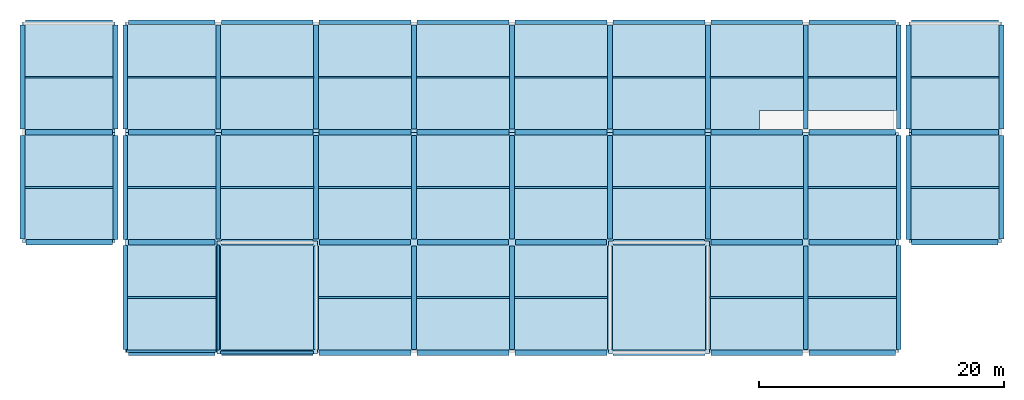
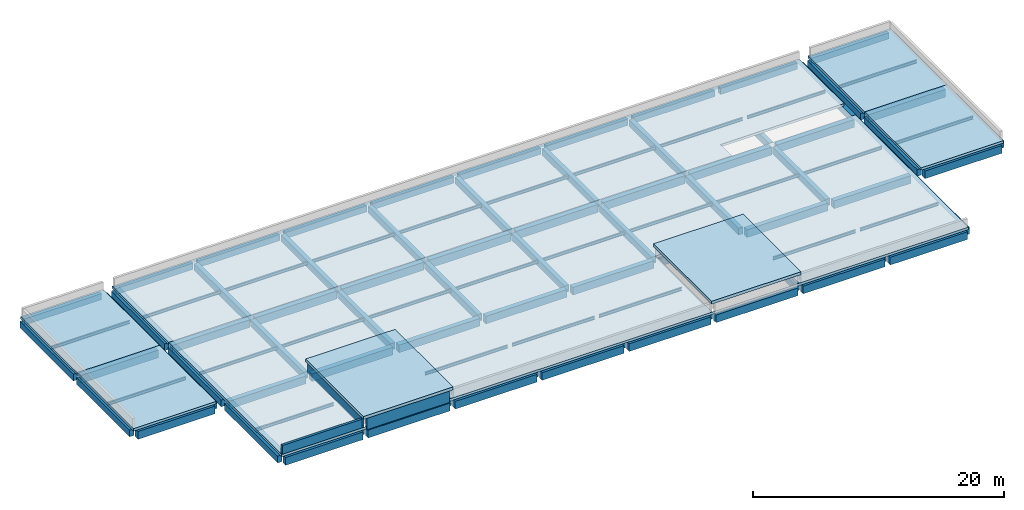
# One storey, part 1 of 3: 99 beams, 8 slabs, 3 walls.
"""IFC4 building model written with IfcOpenShell, lengths in metres."""

from ifc_helpers import new_model, si_unit, direction, frame, frame_2d, origin, origin_2d, place, context, subcontext, project, spatial, polyline, rectangle, i_section, outline, extrude, material, layer, layer_set, material_profile, profile_set, type_object, element, save


model = new_model("IFC4")

# Units and contexts
model_context = context("Model", 3, precision=1e-05, world=origin(), true_north=direction((0.0, 1.0)))
body_context = subcontext(model_context, "Body", "Model", "MODEL_VIEW")
ifc_project = project(units=[si_unit("LENGTHUNIT", "METRE"), si_unit("AREAUNIT", "SQUARE_METRE"), si_unit("VOLUMEUNIT", "CUBIC_METRE"), si_unit("PLANEANGLEUNIT", "RADIAN"), si_unit("MASSUNIT", "GRAM", prefix="KILO"), si_unit("THERMODYNAMICTEMPERATUREUNIT", "KELVIN"), si_unit("POWERUNIT", "WATT")], contexts=[model_context])

# Site, building, storey
site_placement = place(None, origin())
site = spatial("IfcSite", under=ifc_project, at=site_placement, CompositionType="ELEMENT")
building_placement = place(site_placement, origin())
building = spatial("IfcBuilding", under=site, at=building_placement, Name="Kronsvod Quay Wholesale Market", CompositionType="ELEMENT")
storey_placement = place(building_placement, frame((0.0, 0.0, 17.10009765625)))
storey = spatial("IfcBuildingStorey", under=building, at=storey_placement, Name="Roof", CompositionType="ELEMENT", Elevation=17.10009765625)

# Beams
ifc_material_1 = material(Name="Precast concrete C40/50", Category="concrete")
ifc_material_profile_1 = material_profile(ifc_material_1, rectangle(XDim=0.39990234375, YDim=0.64990234375, at=origin_2d()), Name="PCB400x650")
ifc_profile_set_1 = profile_set([ifc_material_profile_1], Name="Precast concrete C40/50")
beam_type_1 = type_object("IfcBeamType", Name="Beam_PCB400x650", PredefinedType="BEAM", material=ifc_profile_set_1)
beam_1_placement = place(storey_placement, frame((56.0, 108.27490234375, -0.565185546875), z_axis=(0.0, 1.0, 0.0), x_axis=(-1.0, 0.0, 0.0)))
element("IfcBeam", 1, at=beam_1_placement, inside=storey, type_object=beam_type_1, Name="BMY-Roof-560-1080", PredefinedType="BEAM", context=body_context, shape_type="SweptSolid", body=[
    extrude(rectangle(XDim=0.39990234375, YDim=0.64990234375, at=origin_2d()), origin(), (0.0, 0.0, 1.0), 8.47509765625),
])
for number, where, z_axis, x_axis, name in (
    (2, (56.0, 117.25, -0.565185546875), (0.0, 1.0, 0.0), (-1.0, 0.0, 0.0), "BMY-Roof-560-1170"),
    (3, (63.60009765625, 108.25, -0.565185546875), (0.0, 1.0, 0.0), (-1.0, 0.0, 0.0), "BMY-Roof-636-1080"),
    (4, (63.60009765625, 117.25, -0.565185546875), (0.0, 1.0, 0.0), (-1.0, 0.0, 0.0), "BMY-Roof-636-1170"),
    (5, (64.39990234375, 99.25, -0.565185546875), (0.0, 1.0, 0.0), (-1.0, 0.0, 0.0), "BMY-Roof-644-990"),
    (6, (64.39990234375, 108.25, -0.565185546875), (0.0, 1.0, 0.0), (-1.0, 0.0, 0.0), "BMY-Roof-644-1080"),
    (7, (64.39990234375, 117.25, -0.565185546875), (0.0, 1.0, 0.0), (-1.0, 0.0, 0.0), "BMY-Roof-644-1170"),
):
    element("IfcBeam", number, at=place(storey_placement, frame(where, z_axis=z_axis, x_axis=x_axis)), inside=storey, type_object=beam_type_1, Name=name, PredefinedType="BEAM", context=body_context, shape_type="SweptSolid", body=[
        extrude(rectangle(XDim=0.39990234375, YDim=0.64990234375, at=origin_2d()), origin(), (0.0, 0.0, 1.0), 8.5),
    ])
for number, where, z_axis, x_axis, name in (
    (8, (72.0, 99.25, -0.565185546875), (0.0, 1.0, 0.0), (-1.0, 0.0, 0.0), "BMY-Roof-720-990"),
    (9, (72.0, 108.27490234375, -0.565185546875), (0.0, 1.0, 0.0), (-1.0, 0.0, 0.0), "BMY-Roof-720-1080"),
):
    element("IfcBeam", number, at=place(storey_placement, frame(where, z_axis=z_axis, x_axis=x_axis)), inside=storey, type_object=beam_type_1, Name=name, PredefinedType="BEAM", context=body_context, shape_type="SweptSolid", body=[
        extrude(rectangle(XDim=0.39990234375, YDim=0.64990234375, at=origin_2d()), origin(), (0.0, 0.0, 1.0), 8.47509765625),
    ])
beam_2_placement = place(storey_placement, frame((72.0, 117.25, -0.565185546875), z_axis=(0.0, 1.0, 0.0), x_axis=(-1.0, 0.0, 0.0)))
element("IfcBeam", 10, at=beam_2_placement, inside=storey, type_object=beam_type_1, Name="BMY-Roof-720-1170", PredefinedType="BEAM", context=body_context, shape_type="SweptSolid", body=[
    extrude(rectangle(XDim=0.39990234375, YDim=0.64990234375, at=origin_2d()), origin(), (0.0, 0.0, 1.0), 8.5),
])
for number, where, z_axis, x_axis, name in (
    (11, (80.0, 99.25, -0.565185546875), (0.0, 1.0, 0.0), (-1.0, 0.0, 0.0), "BMY-Roof-800-990"),
    (12, (80.0, 108.27490234375, -0.565185546875), (0.0, 1.0, 0.0), (-1.0, 0.0, 0.0), "BMY-Roof-800-1080"),
):
    element("IfcBeam", number, at=place(storey_placement, frame(where, z_axis=z_axis, x_axis=x_axis)), inside=storey, type_object=beam_type_1, Name=name, PredefinedType="BEAM", context=body_context, shape_type="SweptSolid", body=[
        extrude(rectangle(XDim=0.39990234375, YDim=0.64990234375, at=origin_2d()), origin(), (0.0, 0.0, 1.0), 8.47509765625),
    ])
beam_3_placement = place(storey_placement, frame((80.0, 117.25, -0.565185546875), z_axis=(0.0, 1.0, 0.0), x_axis=(-1.0, 0.0, 0.0)))
element("IfcBeam", 13, at=beam_3_placement, inside=storey, type_object=beam_type_1, Name="BMY-Roof-800-1170", PredefinedType="BEAM", context=body_context, shape_type="SweptSolid", body=[
    extrude(rectangle(XDim=0.39990234375, YDim=0.64990234375, at=origin_2d()), origin(), (0.0, 0.0, 1.0), 8.5),
])
for number, where, z_axis, x_axis, name in (
    (14, (88.0, 99.25, -0.565185546875), (0.0, 1.0, 0.0), (-1.0, 0.0, 0.0), "BMY-Roof-880-990"),
    (15, (88.0, 108.27490234375, -0.565185546875), (0.0, 1.0, 0.0), (-1.0, 0.0, 0.0), "BMY-Roof-880-1080"),
):
    element("IfcBeam", number, at=place(storey_placement, frame(where, z_axis=z_axis, x_axis=x_axis)), inside=storey, type_object=beam_type_1, Name=name, PredefinedType="BEAM", context=body_context, shape_type="SweptSolid", body=[
        extrude(rectangle(XDim=0.39990234375, YDim=0.64990234375, at=origin_2d()), origin(), (0.0, 0.0, 1.0), 8.47509765625),
    ])
beam_4_placement = place(storey_placement, frame((88.0, 117.25, -0.565185546875), z_axis=(0.0, 1.0, 0.0), x_axis=(-1.0, 0.0, 0.0)))
element("IfcBeam", 16, at=beam_4_placement, inside=storey, type_object=beam_type_1, Name="BMY-Roof-880-1170", PredefinedType="BEAM", context=body_context, shape_type="SweptSolid", body=[
    extrude(rectangle(XDim=0.39990234375, YDim=0.64990234375, at=origin_2d()), origin(), (0.0, 0.0, 1.0), 8.5),
])
for number, where, z_axis, x_axis, name in (
    (17, (96.0, 99.25, -0.565185546875), (0.0, 1.0, 0.0), (-1.0, 0.0, 0.0), "BMY-Roof-960-990"),
    (18, (96.0, 108.27490234375, -0.565185546875), (0.0, 1.0, 0.0), (-1.0, 0.0, 0.0), "BMY-Roof-960-1080"),
):
    element("IfcBeam", number, at=place(storey_placement, frame(where, z_axis=z_axis, x_axis=x_axis)), inside=storey, type_object=beam_type_1, Name=name, PredefinedType="BEAM", context=body_context, shape_type="SweptSolid", body=[
        extrude(rectangle(XDim=0.39990234375, YDim=0.64990234375, at=origin_2d()), origin(), (0.0, 0.0, 1.0), 8.47509765625),
    ])
beam_5_placement = place(storey_placement, frame((96.0, 117.25, -0.565185546875), z_axis=(0.0, 1.0, 0.0), x_axis=(-1.0, 0.0, 0.0)))
element("IfcBeam", 19, at=beam_5_placement, inside=storey, type_object=beam_type_1, Name="BMY-Roof-960-1170", PredefinedType="BEAM", context=body_context, shape_type="SweptSolid", body=[
    extrude(rectangle(XDim=0.39990234375, YDim=0.64990234375, at=origin_2d()), origin(), (0.0, 0.0, 1.0), 8.5),
])
for number, where, z_axis, x_axis, name in (
    (20, (104.0, 99.25, -0.565185546875), (0.0, 1.0, 0.0), (-1.0, 0.0, 0.0), "BMY-Roof-1040-990"),
    (21, (104.0, 108.27490234375, -0.565185546875), (0.0, 1.0, 0.0), (-1.0, 0.0, 0.0), "BMY-Roof-1040-1080"),
):
    element("IfcBeam", number, at=place(storey_placement, frame(where, z_axis=z_axis, x_axis=x_axis)), inside=storey, type_object=beam_type_1, Name=name, PredefinedType="BEAM", context=body_context, shape_type="SweptSolid", body=[
        extrude(rectangle(XDim=0.39990234375, YDim=0.64990234375, at=origin_2d()), origin(), (0.0, 0.0, 1.0), 8.47509765625),
    ])
beam_6_placement = place(storey_placement, frame((104.0, 117.25, -0.565185546875), z_axis=(0.0, 1.0, 0.0), x_axis=(-1.0, 0.0, 0.0)))
element("IfcBeam", 22, at=beam_6_placement, inside=storey, type_object=beam_type_1, Name="BMY-Roof-1040-1170", PredefinedType="BEAM", context=body_context, shape_type="SweptSolid", body=[
    extrude(rectangle(XDim=0.39990234375, YDim=0.64990234375, at=origin_2d()), origin(), (0.0, 0.0, 1.0), 8.5),
])
for number, where, z_axis, x_axis, name in (
    (23, (112.0, 99.25, -0.565185546875), (0.0, 1.0, 0.0), (-1.0, 0.0, 0.0), "BMY-Roof-1120-990"),
    (24, (112.0, 108.27490234375, -0.565185546875), (0.0, 1.0, 0.0), (-1.0, 0.0, 0.0), "BMY-Roof-1120-1080"),
):
    element("IfcBeam", number, at=place(storey_placement, frame(where, z_axis=z_axis, x_axis=x_axis)), inside=storey, type_object=beam_type_1, Name=name, PredefinedType="BEAM", context=body_context, shape_type="SweptSolid", body=[
        extrude(rectangle(XDim=0.39990234375, YDim=0.64990234375, at=origin_2d()), origin(), (0.0, 0.0, 1.0), 8.47509765625),
    ])
beam_7_placement = place(storey_placement, frame((112.0, 117.25, -0.565185546875), z_axis=(0.0, 1.0, 0.0), x_axis=(-1.0, 0.0, 0.0)))
element("IfcBeam", 25, at=beam_7_placement, inside=storey, type_object=beam_type_1, Name="BMY-Roof-1120-1170", PredefinedType="BEAM", context=body_context, shape_type="SweptSolid", body=[
    extrude(rectangle(XDim=0.39990234375, YDim=0.64990234375, at=origin_2d()), origin(), (0.0, 0.0, 1.0), 8.5),
])
for number, where, z_axis, x_axis, name in (
    (26, (120.0, 99.25, -0.565185546875), (0.0, 1.0, 0.0), (-1.0, 0.0, 0.0), "BMY-Roof-1200-990"),
    (27, (120.0, 108.27490234375, -0.565185546875), (0.0, 1.0, 0.0), (-1.0, 0.0, 0.0), "BMY-Roof-1200-1080"),
):
    element("IfcBeam", number, at=place(storey_placement, frame(where, z_axis=z_axis, x_axis=x_axis)), inside=storey, type_object=beam_type_1, Name=name, PredefinedType="BEAM", context=body_context, shape_type="SweptSolid", body=[
        extrude(rectangle(XDim=0.39990234375, YDim=0.64990234375, at=origin_2d()), origin(), (0.0, 0.0, 1.0), 8.47509765625),
    ])
for number, where, z_axis, x_axis, name in (
    (28, (120.0, 117.25, -0.565185546875), (0.0, 1.0, 0.0), (-1.0, 0.0, 0.0), "BMY-Roof-1200-1170"),
    (29, (127.60009765625, 99.25, -0.565185546875), (0.0, 1.0, 0.0), (-1.0, 0.0, 0.0), "BMY-Roof-1276-990"),
    (30, (127.60009765625, 108.25, -0.565185546875), (0.0, 1.0, 0.0), (-1.0, 0.0, 0.0), "BMY-Roof-1276-1080"),
    (31, (127.60009765625, 117.25, -0.565185546875), (0.0, 1.0, 0.0), (-1.0, 0.0, 0.0), "BMY-Roof-1276-1170"),
    (32, (128.39990234375, 108.25, -0.565185546875), (0.0, 1.0, 0.0), (-1.0, 0.0, 0.0), "BMY-Roof-1284-1080"),
    (33, (128.39990234375, 117.25, -0.565185546875), (0.0, 1.0, 0.0), (-1.0, 0.0, 0.0), "BMY-Roof-1284-1170"),
):
    element("IfcBeam", number, at=place(storey_placement, frame(where, z_axis=z_axis, x_axis=x_axis)), inside=storey, type_object=beam_type_1, Name=name, PredefinedType="BEAM", context=body_context, shape_type="SweptSolid", body=[
        extrude(rectangle(XDim=0.39990234375, YDim=0.64990234375, at=origin_2d()), origin(), (0.0, 0.0, 1.0), 8.5),
    ])
beam_8_placement = place(storey_placement, frame((136.0, 108.27490234375, -0.565185546875), z_axis=(0.0, 1.0, 0.0), x_axis=(-1.0, 0.0, 0.0)))
element("IfcBeam", 34, at=beam_8_placement, inside=storey, type_object=beam_type_1, Name="BMY-Roof-1360-1080", PredefinedType="BEAM", context=body_context, shape_type="SweptSolid", body=[
    extrude(rectangle(XDim=0.39990234375, YDim=0.64990234375, at=origin_2d()), origin(), (0.0, 0.0, 1.0), 8.47509765625),
])
beam_9_placement = place(storey_placement, frame((136.0, 117.25, -0.565185546875), z_axis=(0.0, 1.0, 0.0), x_axis=(-1.0, 0.0, 0.0)))
element("IfcBeam", 35, at=beam_9_placement, inside=storey, type_object=beam_type_1, Name="BMY-Roof-1360-1170", PredefinedType="BEAM", context=body_context, shape_type="SweptSolid", body=[
    extrude(rectangle(XDim=0.39990234375, YDim=0.64990234375, at=origin_2d()), origin(), (0.0, 0.0, 1.0), 8.5),
])
ifc_material_2 = material(Name="Precast concrete C40/50", Category="concrete")
ifc_material_profile_2 = material_profile(ifc_material_2, rectangle(XDim=0.449951171875, YDim=0.75, at=origin_2d()), Name="PCB450x750")
ifc_profile_set_2 = profile_set([ifc_material_profile_2], Name="Precast concrete C40/50")
beam_type_2 = type_object("IfcBeamType", Name="Beam_PCB450x750", PredefinedType="BEAM", material=ifc_profile_set_2)
beam_10_placement = place(storey_placement, frame((56.27490234375, 108.0, -0.614990234375), z_axis=(1.0, 0.0, 0.0), x_axis=(0.0, 1.0, 0.0)))
element("IfcBeam", 36, at=beam_10_placement, inside=storey, type_object=beam_type_2, Name="BMX-Roof-560-1080", PredefinedType="BEAM", context=body_context, shape_type="SweptSolid", body=[
    extrude(rectangle(XDim=0.449951171875, YDim=0.75, at=origin_2d()), origin(), (0.0, 0.0, 1.0), 7.0751953125),
])
for number, where, z_axis, x_axis, name in (
    (37, (56.25, 117.0, -0.614990234375), (1.0, 0.0, 0.0), (0.0, 1.0, 0.0), "BMX-Roof-560-1170"),
    (38, (64.64990234375, 99.0, -0.614990234375), (1.0, 0.0, 0.0), (0.0, 1.0, 0.0), "BMX-Roof-644-990"),
):
    element("IfcBeam", number, at=place(storey_placement, frame(where, z_axis=z_axis, x_axis=x_axis)), inside=storey, type_object=beam_type_2, Name=name, PredefinedType="BEAM", context=body_context, shape_type="SweptSolid", body=[
        extrude(rectangle(XDim=0.449951171875, YDim=0.75, at=origin_2d()), origin(), (0.0, 0.0, 1.0), 7.10009765625),
    ])
for number, where, z_axis, x_axis, name in (
    (39, (72.25, 99.0, -0.614990234375), (1.0, 0.0, 0.0), (0.0, 1.0, 0.0), "BMX-Roof-720-990"),
    (40, (80.25, 99.0, -0.614990234375), (1.0, 0.0, 0.0), (0.0, 1.0, 0.0), "BMX-Roof-800-990"),
    (41, (88.25, 99.0, -0.614990234375), (1.0, 0.0, 0.0), (0.0, 1.0, 0.0), "BMX-Roof-880-990"),
    (42, (96.25, 99.0, -0.614990234375), (1.0, 0.0, 0.0), (0.0, 1.0, 0.0), "BMX-Roof-960-990"),
    (43, (104.25, 99.0, -0.614990234375), (1.0, 0.0, 0.0), (0.0, 1.0, 0.0), "BMX-Roof-1040-990"),
    (44, (112.25, 99.0, -0.614990234375), (1.0, 0.0, 0.0), (0.0, 1.0, 0.0), "BMX-Roof-1120-990"),
):
    element("IfcBeam", number, at=place(storey_placement, frame(where, z_axis=z_axis, x_axis=x_axis)), inside=storey, type_object=beam_type_2, Name=name, PredefinedType="BEAM", context=body_context, shape_type="SweptSolid", body=[
        extrude(rectangle(XDim=0.449951171875, YDim=0.75, at=origin_2d()), origin(), (0.0, 0.0, 1.0), 7.5),
    ])
beam_11_placement = place(storey_placement, frame((120.25, 99.0, -0.614990234375), z_axis=(1.0, 0.0, 0.0), x_axis=(0.0, 1.0, 0.0)))
element("IfcBeam", 45, at=beam_11_placement, inside=storey, type_object=beam_type_2, Name="BMX-Roof-1200-990", PredefinedType="BEAM", context=body_context, shape_type="SweptSolid", body=[
    extrude(rectangle(XDim=0.449951171875, YDim=0.75, at=origin_2d()), origin(), (0.0, 0.0, 1.0), 7.10009765625),
])
beam_12_placement = place(storey_placement, frame((64.64990234375, 108.0, -0.614990234375), z_axis=(1.0, 0.0, 0.0), x_axis=(0.0, 1.0, 0.0)))
element("IfcBeam", 46, at=beam_12_placement, inside=storey, type_object=beam_type_2, Name="BMX-Roof-644-1080", PredefinedType="BEAM", context=body_context, shape_type="SweptSolid", body=[
    extrude(rectangle(XDim=0.449951171875, YDim=0.75, at=origin_2d()), origin(), (0.0, 0.0, 1.0), 7.0751953125),
])
for number, where, z_axis, x_axis, name in (
    (47, (72.27490234375, 108.0, -0.614990234375), (1.0, 0.0, 0.0), (0.0, 1.0, 0.0), "BMX-Roof-720-1080"),
    (48, (80.27490234375, 108.0, -0.614990234375), (1.0, 0.0, 0.0), (0.0, 1.0, 0.0), "BMX-Roof-800-1080"),
    (49, (88.27490234375, 108.0, -0.614990234375), (1.0, 0.0, 0.0), (0.0, 1.0, 0.0), "BMX-Roof-880-1080"),
    (50, (96.27490234375, 108.0, -0.614990234375), (1.0, 0.0, 0.0), (0.0, 1.0, 0.0), "BMX-Roof-960-1080"),
    (51, (104.27490234375, 108.0, -0.614990234375), (1.0, 0.0, 0.0), (0.0, 1.0, 0.0), "BMX-Roof-1040-1080"),
    (52, (112.27490234375, 108.0, -0.614990234375), (1.0, 0.0, 0.0), (0.0, 1.0, 0.0), "BMX-Roof-1120-1080"),
):
    element("IfcBeam", number, at=place(storey_placement, frame(where, z_axis=z_axis, x_axis=x_axis)), inside=storey, type_object=beam_type_2, Name=name, PredefinedType="BEAM", context=body_context, shape_type="SweptSolid", body=[
        extrude(rectangle(XDim=0.449951171875, YDim=0.75, at=origin_2d()), origin(), (0.0, 0.0, 1.0), 7.4501953125),
    ])
beam_13_placement = place(storey_placement, frame((120.27490234375, 108.0, -0.614990234375), z_axis=(1.0, 0.0, 0.0), x_axis=(0.0, 1.0, 0.0)))
element("IfcBeam", 53, at=beam_13_placement, inside=storey, type_object=beam_type_2, Name="BMX-Roof-1200-1080", PredefinedType="BEAM", context=body_context, shape_type="SweptSolid", body=[
    extrude(rectangle(XDim=0.449951171875, YDim=0.75, at=origin_2d()), origin(), (0.0, 0.0, 1.0), 7.0751953125),
])
for number, where, z_axis, x_axis, name in (
    (54, (64.64990234375, 117.0, -0.614990234375), (1.0, 0.0, 0.0), (0.0, 1.0, 0.0), "BMX-Roof-644-1170"),
    (55, (120.25, 117.0, -0.614990234375), (1.0, 0.0, 0.0), (0.0, 1.0, 0.0), "BMX-Roof-1200-1170"),
):
    element("IfcBeam", number, at=place(storey_placement, frame(where, z_axis=z_axis, x_axis=x_axis)), inside=storey, type_object=beam_type_2, Name=name, PredefinedType="BEAM", context=body_context, shape_type="SweptSolid", body=[
        extrude(rectangle(XDim=0.449951171875, YDim=0.75, at=origin_2d()), origin(), (0.0, 0.0, 1.0), 7.10009765625),
    ])
beam_14_placement = place(storey_placement, frame((128.64990234375, 108.0, -0.614990234375), z_axis=(1.0, 0.0, 0.0), x_axis=(0.0, 1.0, 0.0)))
element("IfcBeam", 56, at=beam_14_placement, inside=storey, type_object=beam_type_2, Name="BMX-Roof-1284-1080", PredefinedType="BEAM", context=body_context, shape_type="SweptSolid", body=[
    extrude(rectangle(XDim=0.449951171875, YDim=0.75, at=origin_2d()), origin(), (0.0, 0.0, 1.0), 7.0751953125),
])
beam_15_placement = place(storey_placement, frame((128.64990234375, 117.0, -0.614990234375), z_axis=(1.0, 0.0, 0.0), x_axis=(0.0, 1.0, 0.0)))
element("IfcBeam", 57, at=beam_15_placement, inside=storey, type_object=beam_type_2, Name="BMX-Roof-1284-1170", PredefinedType="BEAM", context=body_context, shape_type="SweptSolid", body=[
    extrude(rectangle(XDim=0.449951171875, YDim=0.75, at=origin_2d()), origin(), (0.0, 0.0, 1.0), 7.10009765625),
])
ifc_material_3 = material(Name="Precast concrete C40/50", Category="concrete")
ifc_material_profile_3 = material_profile(ifc_material_3, rectangle(XDim=0.4599609375, YDim=0.780029296875, at=origin_2d()), Name="PB-03")
ifc_profile_set_3 = profile_set([ifc_material_profile_3], Name="Precast concrete C40/50")
beam_type_3 = type_object("IfcBeamType", Name="Beam_PCB460x780", PredefinedType="BEAM", material=ifc_profile_set_3)
for number, where, z_axis, x_axis, name in (
    (58, (72.25, 117.0, -0.630126953125), (1.0, 0.0, 0.0), (0.0, 1.0, 0.0), "BMX-Roof-720-1170"),
    (59, (80.25, 117.0, -0.630126953125), (1.0, 0.0, 0.0), (0.0, 1.0, 0.0), "BMX-Roof-800-1170"),
    (60, (88.25, 117.0, -0.630126953125), (1.0, 0.0, 0.0), (0.0, 1.0, 0.0), "BMX-Roof-880-1170"),
    (61, (96.25, 117.0, -0.630126953125), (1.0, 0.0, 0.0), (0.0, 1.0, 0.0), "BMX-Roof-960-1170"),
    (62, (104.25, 117.0, -0.630126953125), (1.0, 0.0, 0.0), (0.0, 1.0, 0.0), "BMX-Roof-1040-1170"),
    (63, (112.25, 117.0, -0.630126953125), (1.0, 0.0, 0.0), (0.0, 1.0, 0.0), "BMX-Roof-1120-1170"),
):
    element("IfcBeam", number, at=place(storey_placement, frame(where, z_axis=z_axis, x_axis=x_axis)), inside=storey, type_object=beam_type_3, Name=name, PredefinedType="BEAM", context=body_context, shape_type="SweptSolid", body=[
        extrude(rectangle(XDim=0.4599609375, YDim=0.780029296875, at=origin_2d()), origin(), (0.0, 0.0, 1.0), 7.5),
    ])
ifc_material_4 = material(Name="Steel S355", Category="steel")
ifc_material_profile_4 = material_profile(ifc_material_4, i_section(OverallWidth=0.14892578125, OverallDepth=0.298095703125, WebThickness=0.005615234375, FlangeThickness=0.008056640625, FilletRadius=0.012939453125, at=origin_2d()), Name="30B1")
ifc_profile_set_4 = profile_set([ifc_material_profile_4], Name="Steel S355")
beam_type_4 = type_object("IfcBeamType", Name="Joist_Steel30B1", PredefinedType="JOIST", material=ifc_profile_set_4)
for number, where, z_axis, x_axis, name in (
    (64, (56.195068359375, 112.5, -0.38916015625), (1.0, 0.0, 0.0), (0.0, 1.0, 0.0), "JSTX-Roof-560-1080"),
    (65, (56.195068359375, 121.5, -0.38916015625), (1.0, 0.0, 0.0), (0.0, 1.0, 0.0), "JSTX-Roof-560-1170"),
    (66, (64.594970703125, 103.5, -0.38916015625), (1.0, 0.0, 0.0), (0.0, 1.0, 0.0), "JSTX-Roof-644-990"),
    (67, (64.594970703125, 112.5, -0.38916015625), (1.0, 0.0, 0.0), (0.0, 1.0, 0.0), "JSTX-Roof-644-1080"),
    (68, (64.594970703125, 121.5, -0.38916015625), (1.0, 0.0, 0.0), (0.0, 1.0, 0.0), "JSTX-Roof-644-1170"),
):
    element("IfcBeam", number, at=place(storey_placement, frame(where, z_axis=z_axis, x_axis=x_axis)), inside=storey, type_object=beam_type_4, Name=name, PredefinedType="JOIST", context=body_context, shape_type="SweptSolid", body=[
        extrude(i_section(OverallWidth=0.14892578125, OverallDepth=0.298095703125, WebThickness=0.005615234375, FlangeThickness=0.008056640625, FilletRadius=0.012939453125, at=origin_2d()), origin(), (0.0, 0.0, 1.0), 7.2099609375),
    ])
for number, where, z_axis, x_axis, name in (
    (69, (72.195068359375, 112.5, -0.38916015625), (1.0, 0.0, 0.0), (0.0, 1.0, 0.0), "JSTX-Roof-720-1080"),
    (70, (72.195068359375, 121.5, -0.38916015625), (1.0, 0.0, 0.0), (0.0, 1.0, 0.0), "JSTX-Roof-720-1170"),
    (71, (80.195068359375, 103.5, -0.38916015625), (1.0, 0.0, 0.0), (0.0, 1.0, 0.0), "JSTX-Roof-800-990"),
    (72, (80.195068359375, 112.5, -0.38916015625), (1.0, 0.0, 0.0), (0.0, 1.0, 0.0), "JSTX-Roof-800-1080"),
    (73, (80.195068359375, 121.5, -0.38916015625), (1.0, 0.0, 0.0), (0.0, 1.0, 0.0), "JSTX-Roof-800-1170"),
    (74, (88.195068359375, 103.5, -0.38916015625), (1.0, 0.0, 0.0), (0.0, 1.0, 0.0), "JSTX-Roof-880-990"),
    (75, (88.195068359375, 112.5, -0.38916015625), (1.0, 0.0, 0.0), (0.0, 1.0, 0.0), "JSTX-Roof-880-1080"),
    (76, (88.195068359375, 121.5, -0.38916015625), (1.0, 0.0, 0.0), (0.0, 1.0, 0.0), "JSTX-Roof-880-1170"),
    (77, (96.195068359375, 103.5, -0.38916015625), (1.0, 0.0, 0.0), (0.0, 1.0, 0.0), "JSTX-Roof-960-990"),
    (78, (96.195068359375, 112.5, -0.38916015625), (1.0, 0.0, 0.0), (0.0, 1.0, 0.0), "JSTX-Roof-960-1080"),
    (79, (96.195068359375, 121.5, -0.38916015625), (1.0, 0.0, 0.0), (0.0, 1.0, 0.0), "JSTX-Roof-960-1170"),
    (80, (104.195068359375, 112.5, -0.38916015625), (1.0, 0.0, 0.0), (0.0, 1.0, 0.0), "JSTX-Roof-1040-1080"),
    (81, (104.195068359375, 121.5, -0.38916015625), (1.0, 0.0, 0.0), (0.0, 1.0, 0.0), "JSTX-Roof-1040-1170"),
    (82, (112.195068359375, 103.5, -0.38916015625), (1.0, 0.0, 0.0), (0.0, 1.0, 0.0), "JSTX-Roof-1120-990"),
    (83, (112.195068359375, 112.5, -0.38916015625), (1.0, 0.0, 0.0), (0.0, 1.0, 0.0), "JSTX-Roof-1120-1080"),
    (84, (112.195068359375, 121.5, -0.38916015625), (1.0, 0.0, 0.0), (0.0, 1.0, 0.0), "JSTX-Roof-1120-1170"),
):
    element("IfcBeam", number, at=place(storey_placement, frame(where, z_axis=z_axis, x_axis=x_axis)), inside=storey, type_object=beam_type_4, Name=name, PredefinedType="JOIST", context=body_context, shape_type="SweptSolid", body=[
        extrude(i_section(OverallWidth=0.14892578125, OverallDepth=0.298095703125, WebThickness=0.005615234375, FlangeThickness=0.008056640625, FilletRadius=0.012939453125, at=origin_2d()), origin(), (0.0, 0.0, 1.0), 7.60986328125),
    ])
for number, where, z_axis, x_axis, name in (
    (85, (120.195068359375, 103.5, -0.38916015625), (1.0, 0.0, 0.0), (0.0, 1.0, 0.0), "JSTX-Roof-1200-990"),
    (86, (120.195068359375, 112.5, -0.38916015625), (1.0, 0.0, 0.0), (0.0, 1.0, 0.0), "JSTX-Roof-1200-1080"),
    (87, (120.195068359375, 121.5, -0.38916015625), (1.0, 0.0, 0.0), (0.0, 1.0, 0.0), "JSTX-Roof-1200-1170"),
    (88, (128.594970703125, 112.5, -0.38916015625), (1.0, 0.0, 0.0), (0.0, 1.0, 0.0), "JSTX-Roof-1284-1080"),
    (89, (128.594970703125, 121.5, -0.38916015625), (1.0, 0.0, 0.0), (0.0, 1.0, 0.0), "JSTX-Roof-1284-1170"),
):
    element("IfcBeam", number, at=place(storey_placement, frame(where, z_axis=z_axis, x_axis=x_axis)), inside=storey, type_object=beam_type_4, Name=name, PredefinedType="JOIST", context=body_context, shape_type="SweptSolid", body=[
        extrude(i_section(OverallWidth=0.14892578125, OverallDepth=0.298095703125, WebThickness=0.005615234375, FlangeThickness=0.008056640625, FilletRadius=0.012939453125, at=origin_2d()), origin(), (0.0, 0.0, 1.0), 7.2099609375),
    ])
ifc_material_5 = material(Name="Precast concrete C40/50", Category="concrete")
ifc_material_profile_5 = material_profile(ifc_material_5, rectangle(XDim=0.35009765625, YDim=0.60009765625, at=origin_2d()), Name="PCSP350x600")
ifc_profile_set_5 = profile_set([ifc_material_profile_5], Name="Precast concrete C40/50")
beam_type_5 = type_object("IfcBeamType", Name="Spandrel_PCSP350x600", PredefinedType="SPANDREL", material=ifc_profile_set_5)
for number, where, z_axis, x_axis, name in (
    (90, (56.25, 126.0, -0.5400390625), (1.0, 0.0, 0.0), (0.0, 1.0, 0.0), "BMX-Roof-560-1260"),
    (91, (64.64990234375, 126.0, -0.5400390625), (1.0, 0.0, 0.0), (0.0, 1.0, 0.0), "BMX-Roof-644-1260"),
):
    element("IfcBeam", number, at=place(storey_placement, frame(where, z_axis=z_axis, x_axis=x_axis)), inside=storey, type_object=beam_type_5, Name=name, PredefinedType="SPANDREL", context=body_context, shape_type="SweptSolid", body=[
        extrude(rectangle(XDim=0.35009765625, YDim=0.60009765625, at=origin_2d()), origin(), (0.0, 0.0, 1.0), 7.10009765625),
    ])
for number, where, z_axis, x_axis, name in (
    (92, (72.25, 126.0, -0.5400390625), (1.0, 0.0, 0.0), (0.0, 1.0, 0.0), "BMX-Roof-720-1260"),
    (93, (80.25, 126.0, -0.5400390625), (1.0, 0.0, 0.0), (0.0, 1.0, 0.0), "BMX-Roof-800-1260"),
    (94, (88.25, 126.0, -0.5400390625), (1.0, 0.0, 0.0), (0.0, 1.0, 0.0), "BMX-Roof-880-1260"),
    (95, (96.25, 126.0, -0.5400390625), (1.0, 0.0, 0.0), (0.0, 1.0, 0.0), "BMX-Roof-960-1260"),
    (96, (104.25, 126.0, -0.5400390625), (1.0, 0.0, 0.0), (0.0, 1.0, 0.0), "BMX-Roof-1040-1260"),
    (97, (112.25, 126.0, -0.5400390625), (1.0, 0.0, 0.0), (0.0, 1.0, 0.0), "BMX-Roof-1120-1260"),
):
    element("IfcBeam", number, at=place(storey_placement, frame(where, z_axis=z_axis, x_axis=x_axis)), inside=storey, type_object=beam_type_5, Name=name, PredefinedType="SPANDREL", context=body_context, shape_type="SweptSolid", body=[
        extrude(rectangle(XDim=0.35009765625, YDim=0.60009765625, at=origin_2d()), origin(), (0.0, 0.0, 1.0), 7.5),
    ])
for number, where, z_axis, x_axis, name in (
    (98, (120.25, 126.0, -0.5400390625), (1.0, 0.0, 0.0), (0.0, 1.0, 0.0), "BMX-Roof-1200-1260"),
    (99, (128.64990234375, 126.0, -0.5400390625), (1.0, 0.0, 0.0), (0.0, 1.0, 0.0), "BMX-Roof-1284-1260"),
):
    element("IfcBeam", number, at=place(storey_placement, frame(where, z_axis=z_axis, x_axis=x_axis)), inside=storey, type_object=beam_type_5, Name=name, PredefinedType="SPANDREL", context=body_context, shape_type="SweptSolid", body=[
        extrude(rectangle(XDim=0.35009765625, YDim=0.60009765625, at=origin_2d()), origin(), (0.0, 0.0, 1.0), 7.10009765625),
    ])

# Slabs
ifc_material_6 = material(Name="Precast concrete C40/50", Category="concrete")
ifc_layer_1 = layer(ifc_material_6, 0.239990234375)
ifc_layer_set_1 = layer_set([ifc_layer_1], Name="Precast concrete C40/50")
slab_type_1 = type_object("IfcSlabType", Name="Slab_FlatRoof240", PredefinedType="ROOF", material=ifc_layer_set_1)
slab_1_placement = place(storey_placement, frame((0.0, 0.0, -0.239990234375)))
element("IfcSlab", 100, at=slab_1_placement, inside=storey, type_object=slab_type_1, Name="SLB-Roof-164", PredefinedType="ROOF", context=body_context, shape_type="SweptSolid", body=[
    extrude(outline(polyline([(56.0, 108.0), (63.580078125, 108.0), (63.580078125, 117.0), (56.0, 117.0), (56.0, 108.0)])), origin(), (0.0, 0.0, 1.0), 0.239990234375),
])
slab_2_placement = place(storey_placement, frame((0.0, 0.0, -0.239990234375)))
element("IfcSlab", 101, at=slab_2_placement, inside=storey, type_object=slab_type_1, Name="SLB-Roof-165", PredefinedType="ROOF", context=body_context, shape_type="SweptSolid", body=[
    extrude(outline(polyline([(56.0, 117.0), (63.580078125, 117.0), (63.580078125, 126.0), (56.0, 126.0), (56.0, 117.0)])), origin(), (0.0, 0.0, 1.0), 0.239990234375),
])
slab_3_placement = place(storey_placement, frame((0.0, 0.0, -0.239990234375)))
element("IfcSlab", 102, at=slab_3_placement, inside=storey, type_object=slab_type_1, Name="SLB-Roof-166", PredefinedType="ROOF", context=body_context, shape_type="SweptSolid", body=[
    extrude(outline(polyline([(64.419921875, 99.0), (127.580078125, 99.0), (127.580078125, 117.0), (64.419921875, 117.0), (64.419921875, 99.0)]), holes=[polyline([(72.02001953125, 99.02001953125), (79.97998046875, 99.02001953125), (79.97998046875, 107.97998046875), (72.02001953125, 107.97998046875), (72.02001953125, 99.02001953125)]), polyline([(104.02001953125, 99.02001953125), (111.97998046875, 99.02001953125), (111.97998046875, 107.97998046875), (104.02001953125, 107.97998046875), (104.02001953125, 99.02001953125)])]), origin(), (0.0, 0.0, 1.0), 0.239990234375),
])
slab_4_placement = place(storey_placement, frame((0.0, 0.0, -0.239990234375)))
element("IfcSlab", 103, at=slab_4_placement, inside=storey, type_object=slab_type_1, Name="SLB-Roof-167", PredefinedType="ROOF", context=body_context, shape_type="SweptSolid", body=[
    extrude(outline(polyline([(64.419921875, 117.0), (116.2099609375, 117.0), (116.2099609375, 118.800048828125), (127.580078125, 118.800048828125), (127.580078125, 126.0), (64.419921875, 126.0), (64.419921875, 117.0)])), origin(), (0.0, 0.0, 1.0), 0.239990234375),
])
slab_5_placement = place(storey_placement, frame((0.0, 0.0, -0.239990234375)))
element("IfcSlab", 104, at=slab_5_placement, inside=storey, type_object=slab_type_1, Name="SLB-Roof-168", PredefinedType="ROOF", context=body_context, shape_type="SweptSolid", body=[
    extrude(outline(polyline([(128.419921875, 108.0), (136.0, 108.0), (136.0, 117.0), (128.419921875, 117.0), (128.419921875, 108.0)])), origin(), (0.0, 0.0, 1.0), 0.239990234375),
])
slab_6_placement = place(storey_placement, frame((0.0, 0.0, -0.239990234375)))
element("IfcSlab", 105, at=slab_6_placement, inside=storey, type_object=slab_type_1, Name="SLB-Roof-169", PredefinedType="ROOF", context=body_context, shape_type="SweptSolid", body=[
    extrude(outline(polyline([(128.419921875, 117.0), (136.0, 117.0), (136.0, 126.0), (128.419921875, 126.0), (128.419921875, 117.0)])), origin(), (0.0, 0.0, 1.0), 0.239990234375),
])
ifc_material_7 = material(Name="Concrete C35/45", Category="concrete")
ifc_layer_2 = layer(ifc_material_7, 0.284912109375)
ifc_layer_set_2 = layer_set([ifc_layer_2], Name="Concrete C35/45")
slab_type_2 = type_object("IfcSlabType", Name="Slab_OverrunRoof285", PredefinedType="ROOF", material=ifc_layer_set_2)
slab_7_placement = place(storey_placement, frame((0.0, 0.0, 0.864990234375)))
element("IfcSlab", 106, at=slab_7_placement, inside=storey, type_object=slab_type_2, Name="SLB-OR-C08", PredefinedType="ROOF", context=body_context, shape_type="SweptSolid", body=[
    extrude(outline(polyline([(71.8798828125, 98.8798828125), (80.1201171875, 98.8798828125), (80.1201171875, 108.1201171875), (71.8798828125, 108.1201171875), (71.8798828125, 98.8798828125)])), origin(), (0.0, 0.0, 1.0), 0.284912109375),
])
slab_8_placement = place(storey_placement, frame((0.0, 0.0, 0.864990234375)))
element("IfcSlab", 107, at=slab_8_placement, inside=storey, type_object=slab_type_2, Name="SLB-OR-C09", PredefinedType="ROOF", context=body_context, shape_type="SweptSolid", body=[
    extrude(outline(polyline([(103.8798828125, 98.8798828125), (112.1201171875, 98.8798828125), (112.1201171875, 108.1201171875), (103.8798828125, 108.1201171875), (103.8798828125, 98.8798828125)])), origin(), (0.0, 0.0, 1.0), 0.284912109375),
])

# Walls
ifc_material_8 = material(Name="Concrete C35/45", Category="concrete")
ifc_layer_3 = layer(ifc_material_8, 0.22509765625)
ifc_layer_set_3 = layer_set([ifc_layer_3], Name="Concrete C35/45")
wall_type_1 = type_object("IfcWallType", Name="Wall_OverrunWall225", PredefinedType="SHEAR", material=ifc_layer_set_3)
wall_1_placement = place(storey_placement, frame((72.199951171875, 99.0, -0.300048828125), z_axis=(0.0, 0.0, 1.0), x_axis=(1.0, 0.0, 0.0)))
element("IfcWall", 108, at=wall_1_placement, inside=storey, type_object=wall_type_1, Name="OW-C08-S", PredefinedType="SHEAR", context=body_context, shape_type="SweptSolid", body=[
    extrude(rectangle(XDim=7.60009765625, YDim=0.22509765625, at=frame_2d((3.800048828125, 0.0))), origin(), (0.0, 0.0, 1.0), 1.1650390625),
])
wall_2_placement = place(storey_placement, frame((72.0, 99.199951171875, -0.300048828125), z_axis=(0.0, 0.0, 1.0), x_axis=(0.0, 1.0, 0.0)))
element("IfcWall", 109, at=wall_2_placement, inside=storey, type_object=wall_type_1, Name="OW-C08-W", PredefinedType="SHEAR", context=body_context, shape_type="SweptSolid", body=[
    extrude(rectangle(XDim=8.60009765625, YDim=0.22509765625, at=frame_2d((4.300048828125, 0.0))), origin(), (0.0, 0.0, 1.0), 1.1650390625),
])
ifc_material_9 = material(Name="Precast concrete C40/50", Category="concrete")
ifc_layer_4 = layer(ifc_material_9, 0.219970703125)
ifc_layer_set_4 = layer_set([ifc_layer_4], Name="Precast concrete C40/50")
wall_type_2 = type_object("IfcWallType", Name="Wall_Parapet220", PredefinedType="PARAPET", material=ifc_layer_set_4)
wall_3_placement = place(storey_placement, frame((64.5, 99.110107421875, 0.0), z_axis=(0.0, 0.0, 1.0), x_axis=(1.0, 0.0, 0.0)))
element("IfcWall", 110, at=wall_3_placement, inside=storey, type_object=wall_type_2, Name="PRP-RF-S2A", PredefinedType="PARAPET", context=body_context, shape_type="SweptSolid", body=[
    extrude(rectangle(XDim=7.300048828125, YDim=0.219970703125, at=frame_2d((3.64990234375, 0.0))), origin(), (0.0, 0.0, 1.0), 0.849853515625),
])

save(model, "model.ifc")
